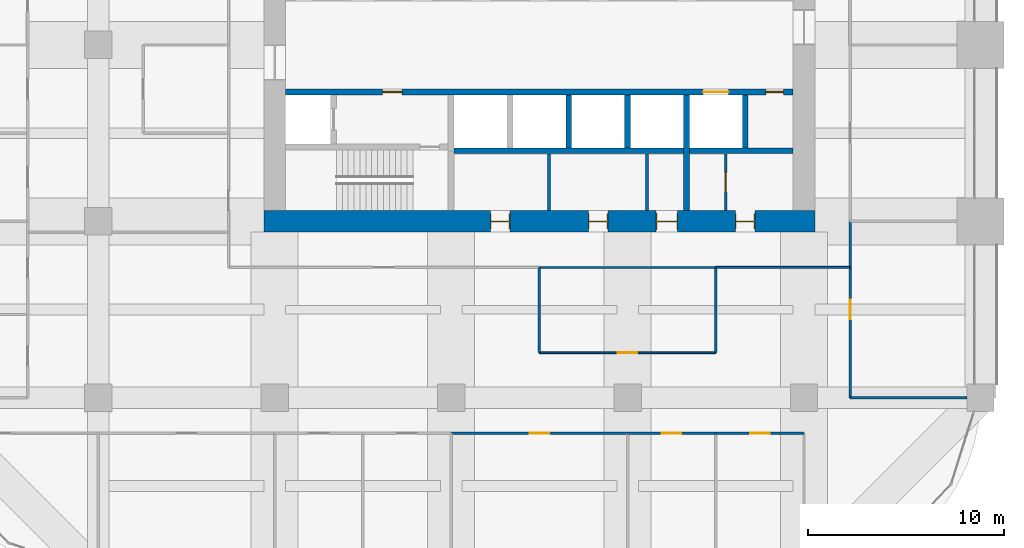
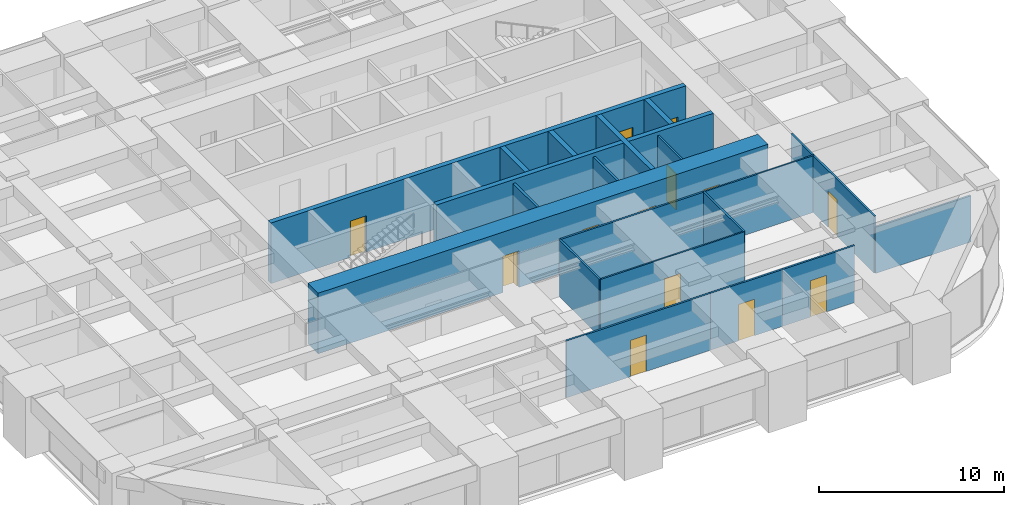
# One storey, part 31 of 35: 20 walls, 13 doors, 13 openings.
"""IFC4 building model written with IfcOpenShell, lengths in metres."""

from ifc_helpers import new_model, si_unit, direction, frame, frame_2d, origin, place, context, subcontext, project, spatial, rectangle, extrude, material, layer, layer_set, type_object, element, fill, save


model = new_model("IFC4")

# Units and contexts
model_context = context("Model", 3, precision=1e-05, world=origin(), true_north=direction((0.0, 1.0)))
body_context = subcontext(model_context, "Body", "Model", "MODEL_VIEW")
ifc_project = project(units=[si_unit("LENGTHUNIT", "METRE"), si_unit("AREAUNIT", "SQUARE_METRE"), si_unit("VOLUMEUNIT", "CUBIC_METRE"), si_unit("PLANEANGLEUNIT", "RADIAN"), si_unit("MASSUNIT", "GRAM", prefix="KILO")], contexts=[model_context])

# Site, building, storey
site_placement = place(None, origin())
site = spatial("IfcSite", under=ifc_project, at=site_placement, CompositionType="ELEMENT")
building_placement = place(site_placement, origin())
building = spatial("IfcBuilding", under=site, at=building_placement, Name="Zorevar Civic Tower", CompositionType="ELEMENT")
storey_placement = place(building_placement, frame((0.0, 0.0, 222.199951171875)))
storey = spatial("IfcBuildingStorey", under=building, at=storey_placement, Name="L54", CompositionType="ELEMENT", Elevation=222.199951171875)

# Wall, openings, doors
ifc_material_1 = material(Name="Concrete C50/60", Category="concrete")
ifc_layer_1 = layer(ifc_material_1, 1.10009765625)
ifc_layer_set_1 = layer_set([ifc_layer_1], Name="Core wall 1100")
wall_type_1 = type_object("IfcWallType", Name="Core wall 1100", PredefinedType="SHEAR", material=ifc_layer_set_1)
wall_1_placement = place(storey_placement, frame((17.449951171875, 18.0, 0.0), z_axis=(0.0, 0.0, 1.0), x_axis=(1.0, 0.0, 0.0)))
wall_1 = element("IfcWall", 1, at=wall_1_placement, inside=storey, type_object=wall_type_1, Name="Core wall S L54", PredefinedType="SHEAR", context=body_context, shape_type="SweptSolid", body=[
    extrude(rectangle(XDim=28.10009765625, YDim=1.10009765625, at=frame_2d((14.050048828125, 0.0))), origin(), (0.0, 0.0, 1.0), 4.0),
])
opening_1_placement = place(wall_1_placement, frame((11.550048828125, 0.0, 0.0)))
opening_1 = element("IfcOpeningElement", 2, at=opening_1_placement, cuts=wall_1, Name="Opening L54.03", PredefinedType="OPENING", context=body_context, shape_type="SweptSolid", body=[
    extrude(rectangle(XDim=1.0, YDim=2.39990234375, at=frame_2d((0.5, 1.199951171875))), frame((0.0, 0.56005859375, 0.0), z_axis=(0.0, -1.0, 0.0), x_axis=(1.0, 0.0, 0.0)), (0.0, 0.0, 1.0), 1.1201171875),
])
opening_2_placement = place(wall_1_placement, frame((16.550048828125, 0.0, 0.0)))
opening_2 = element("IfcOpeningElement", 3, at=opening_2_placement, cuts=wall_1, Name="Opening L54.04", PredefinedType="OPENING", context=body_context, shape_type="SweptSolid", body=[
    extrude(rectangle(XDim=1.0, YDim=2.39990234375, at=frame_2d((0.5, 1.199951171875))), frame((0.0, 0.56005859375, 0.0), z_axis=(0.0, -1.0, 0.0), x_axis=(1.0, 0.0, 0.0)), (0.0, 0.0, 1.0), 1.1201171875),
])
opening_3_placement = place(wall_1_placement, frame((20.0, 0.0, 0.0)))
opening_3 = element("IfcOpeningElement", 4, at=opening_3_placement, cuts=wall_1, Name="Opening L54.05", PredefinedType="OPENING", context=body_context, shape_type="SweptSolid", body=[
    extrude(rectangle(XDim=1.10009765625, YDim=2.39990234375, at=frame_2d((0.550048828125, 1.199951171875))), frame((0.0, 0.56005859375, 0.0), z_axis=(0.0, -1.0, 0.0), x_axis=(1.0, 0.0, 0.0)), (0.0, 0.0, 1.0), 1.1201171875),
])
opening_4_placement = place(wall_1_placement, frame((24.050048828125, 0.0, 0.0)))
opening_4 = element("IfcOpeningElement", 5, at=opening_4_placement, cuts=wall_1, Name="Opening L54.06", PredefinedType="OPENING", context=body_context, shape_type="SweptSolid", body=[
    extrude(rectangle(XDim=1.0, YDim=2.39990234375, at=frame_2d((0.5, 1.199951171875))), frame((0.0, 0.56005859375, 0.0), z_axis=(0.0, -1.0, 0.0), x_axis=(1.0, 0.0, 0.0)), (0.0, 0.0, 1.0), 1.1201171875),
])
ifc_material_2 = material(Name="Timber door set", Category="wood")
door_type_1 = type_object("IfcDoorType", Name="Door D1 1000x2400", OperationType="SINGLE_SWING_LEFT", PredefinedType="DOOR", material=ifc_material_2)
door_1_placement = place(opening_1_placement, origin())
door_1 = element("IfcDoor", 6, at=door_1_placement, inside=storey, type_object=door_type_1, Name="Door L54 02", OperationType="SINGLE_SWING_RIGHT", OverallHeight=2.39990234375, OverallWidth=1.0, PredefinedType="DOOR", context=body_context, shape_type="SweptSolid", body=[
    extrude(rectangle(XDim=1.0, YDim=2.39990234375, at=frame_2d((0.5, 1.199951171875))), frame((0.0, 0.02490234375, 0.0), z_axis=(0.0, -1.0, 0.0), x_axis=(1.0, 0.0, 0.0)), (0.0, 0.0, 1.0), 0.050048828125),
    extrude(rectangle(XDim=0.04, YDim=2.39990234375, at=frame_2d((0.02001953125, 1.199951171875))), frame((0.0, 0.39990234375, 0.0), z_axis=(0.0, -1.0, 0.0), x_axis=(1.0, 0.0, 0.0)), (0.0, 0.0, 1.0), 0.800048828125),
    extrude(rectangle(XDim=0.04, YDim=2.39990234375, at=frame_2d((0.97998046875, 1.199951171875))), frame((0.0, 0.39990234375, 0.0), z_axis=(0.0, -1.0, 0.0), x_axis=(1.0, 0.0, 0.0)), (0.0, 0.0, 1.0), 0.800048828125),
    extrude(rectangle(XDim=1.0, YDim=0.04, at=frame_2d((0.5, 2.3798828125))), frame((0.0, 0.39990234375, 0.0), z_axis=(0.0, -1.0, 0.0), x_axis=(1.0, 0.0, 0.0)), (0.0, 0.0, 1.0), 0.800048828125),
])
fill(opening_1, door_1)
door_2_placement = place(opening_2_placement, origin())
door_2 = element("IfcDoor", 7, at=door_2_placement, inside=storey, type_object=door_type_1, Name="Door L54 03", OperationType="SINGLE_SWING_LEFT", OverallHeight=2.39990234375, OverallWidth=1.0, PredefinedType="DOOR", context=body_context, shape_type="SweptSolid", body=[
    extrude(rectangle(XDim=1.0, YDim=2.39990234375, at=frame_2d((0.5, 1.199951171875))), frame((0.0, 0.02490234375, 0.0), z_axis=(0.0, -1.0, 0.0), x_axis=(1.0, 0.0, 0.0)), (0.0, 0.0, 1.0), 0.050048828125),
    extrude(rectangle(XDim=0.04, YDim=2.39990234375, at=frame_2d((0.02001953125, 1.199951171875))), frame((0.0, 0.39990234375, 0.0), z_axis=(0.0, -1.0, 0.0), x_axis=(1.0, 0.0, 0.0)), (0.0, 0.0, 1.0), 0.800048828125),
    extrude(rectangle(XDim=0.04, YDim=2.39990234375, at=frame_2d((0.97998046875, 1.199951171875))), frame((0.0, 0.39990234375, 0.0), z_axis=(0.0, -1.0, 0.0), x_axis=(1.0, 0.0, 0.0)), (0.0, 0.0, 1.0), 0.800048828125),
    extrude(rectangle(XDim=1.0, YDim=0.04, at=frame_2d((0.5, 2.3798828125))), frame((0.0, 0.39990234375, 0.0), z_axis=(0.0, -1.0, 0.0), x_axis=(1.0, 0.0, 0.0)), (0.0, 0.0, 1.0), 0.800048828125),
])
fill(opening_2, door_2)
door_3_placement = place(opening_4_placement, origin())
door_3 = element("IfcDoor", 8, at=door_3_placement, inside=storey, type_object=door_type_1, Name="Door L54 05", OperationType="SINGLE_SWING_LEFT", OverallHeight=2.39990234375, OverallWidth=1.0, PredefinedType="DOOR", context=body_context, shape_type="SweptSolid", body=[
    extrude(rectangle(XDim=1.0, YDim=2.39990234375, at=frame_2d((0.5, 1.199951171875))), frame((0.0, 0.02490234375, 0.0), z_axis=(0.0, -1.0, 0.0), x_axis=(1.0, 0.0, 0.0)), (0.0, 0.0, 1.0), 0.050048828125),
    extrude(rectangle(XDim=0.04, YDim=2.39990234375, at=frame_2d((0.02001953125, 1.199951171875))), frame((0.0, 0.39990234375, 0.0), z_axis=(0.0, -1.0, 0.0), x_axis=(1.0, 0.0, 0.0)), (0.0, 0.0, 1.0), 0.800048828125),
    extrude(rectangle(XDim=0.04, YDim=2.39990234375, at=frame_2d((0.97998046875, 1.199951171875))), frame((0.0, 0.39990234375, 0.0), z_axis=(0.0, -1.0, 0.0), x_axis=(1.0, 0.0, 0.0)), (0.0, 0.0, 1.0), 0.800048828125),
    extrude(rectangle(XDim=1.0, YDim=0.04, at=frame_2d((0.5, 2.3798828125))), frame((0.0, 0.39990234375, 0.0), z_axis=(0.0, -1.0, 0.0), x_axis=(1.0, 0.0, 0.0)), (0.0, 0.0, 1.0), 0.800048828125),
])
fill(opening_4, door_3)
ifc_material_3 = material(Name="Timber door set", Category="wood")
door_type_2 = type_object("IfcDoorType", Name="Door D5 1100x2400", OperationType="SINGLE_SWING_LEFT", PredefinedType="DOOR", material=ifc_material_3)
door_4_placement = place(opening_3_placement, origin())
door_4 = element("IfcDoor", 9, at=door_4_placement, inside=storey, type_object=door_type_2, Name="Door L54 04", OperationType="SINGLE_SWING_LEFT", OverallHeight=2.39990234375, OverallWidth=1.10009765625, PredefinedType="DOOR", context=body_context, shape_type="SweptSolid", body=[
    extrude(rectangle(XDim=1.10009765625, YDim=2.39990234375, at=frame_2d((0.550048828125, 1.199951171875))), frame((0.0, 0.02490234375, 0.0), z_axis=(0.0, -1.0, 0.0), x_axis=(1.0, 0.0, 0.0)), (0.0, 0.0, 1.0), 0.050048828125),
    extrude(rectangle(XDim=0.04, YDim=2.39990234375, at=frame_2d((0.02001953125, 1.199951171875))), frame((0.0, 0.43994140625, 0.0), z_axis=(0.0, -1.0, 0.0), x_axis=(1.0, 0.0, 0.0)), (0.0, 0.0, 1.0), 0.880126953125),
    extrude(rectangle(XDim=0.04, YDim=2.39990234375, at=frame_2d((1.080078125, 1.199951171875))), frame((0.0, 0.43994140625, 0.0), z_axis=(0.0, -1.0, 0.0), x_axis=(1.0, 0.0, 0.0)), (0.0, 0.0, 1.0), 0.880126953125),
    extrude(rectangle(XDim=1.10009765625, YDim=0.04, at=frame_2d((0.550048828125, 2.3798828125))), frame((0.0, 0.43994140625, 0.0), z_axis=(0.0, -1.0, 0.0), x_axis=(1.0, 0.0, 0.0)), (0.0, 0.0, 1.0), 0.880126953125),
])
fill(opening_3, door_4)

# Wall, opening, door
ifc_material_4 = material(Name="Laminated glass in black aluminium frame", Category="aluminium")
ifc_layer_2 = layer(ifc_material_4, 0.10009765625)
ifc_layer_set_2 = layer_set([ifc_layer_2], Name="Glazed partition 100")
wall_type_2 = type_object("IfcWallType", Name="Glazed partition 100", PredefinedType="PARTITIONING", material=ifc_layer_set_2)
wall_2_placement = place(storey_placement, frame((31.5, 11.300048828125, 0.0), z_axis=(0.0, 0.0, 1.0), x_axis=(1.0, 0.0, 0.0)))
wall_2 = element("IfcWall", 10, at=wall_2_placement, inside=storey, type_object=wall_type_2, Name="Glazed partition 100 L54", PredefinedType="PARTITIONING", context=body_context, shape_type="SweptSolid", body=[
    extrude(rectangle(XDim=9.0, YDim=0.10009765625, at=frame_2d((4.5, 0.0))), origin(), (0.0, 0.0, 1.0), 3.75),
])
opening_5_placement = place(wall_2_placement, frame((4.0, 0.0, 0.0)))
opening_5 = element("IfcOpeningElement", 11, at=opening_5_placement, cuts=wall_2, Name="Opening L54.24", PredefinedType="OPENING", context=body_context, shape_type="SweptSolid", body=[
    extrude(rectangle(XDim=1.0, YDim=2.39990234375, at=frame_2d((0.5, 1.199951171875))), frame((0.0, 0.06005859375, 0.0), z_axis=(0.0, -1.0, 0.0), x_axis=(1.0, 0.0, 0.0)), (0.0, 0.0, 1.0), 0.1201171875),
])
ifc_material_5 = material(Name="Timber door set", Category="wood")
door_type_3 = type_object("IfcDoorType", Name="Glazed door GD1 1000x2400", OperationType="SINGLE_SWING_LEFT", PredefinedType="DOOR", material=ifc_material_5)
door_5_placement = place(opening_5_placement, origin())
door_5 = element("IfcDoor", 12, at=door_5_placement, inside=storey, type_object=door_type_3, Name="Door L54 D1", OperationType="SINGLE_SWING_RIGHT", OverallHeight=2.39990234375, OverallWidth=1.0, PredefinedType="DOOR", context=body_context, shape_type="SweptSolid", body=[
    extrude(rectangle(XDim=1.0, YDim=2.39990234375, at=frame_2d((0.5, 1.199951171875))), frame((0.0, 0.02001953125, 0.0), z_axis=(0.0, -1.0, 0.0), x_axis=(1.0, 0.0, 0.0)), (0.0, 0.0, 1.0), 0.0400390625),
])
fill(opening_5, door_5)

# Wall
wall_3_placement = place(storey_placement, frame((40.5, 15.64990234375, 0.0), z_axis=(0.0, 0.0, 1.0), x_axis=(1.0, 0.0, 0.0)))
element("IfcWall", 13, at=wall_3_placement, inside=storey, type_object=wall_type_2, Name="Glazed partition 100 L54", PredefinedType="PARTITIONING", context=body_context, shape_type="SweptSolid", body=[
    extrude(rectangle(XDim=6.85009765625, YDim=0.10009765625, at=frame_2d((3.425048828125, 0.0))), origin(), (0.0, 0.0, 1.0), 3.75),
])

# Wall, openings, doors
ifc_material_6 = material(Name="Concrete C40/50", Category="concrete")
ifc_layer_3 = layer(ifc_material_6, 0.300048828125)
ifc_layer_set_3 = layer_set([ifc_layer_3], Name="Inner core wall 300")
wall_type_3 = type_object("IfcWallType", Name="Inner core wall 300", PredefinedType="SHEAR", material=ifc_layer_set_3)
wall_4_placement = place(storey_placement, frame((18.550048828125, 24.60009765625, 0.0), z_axis=(0.0, 0.0, 1.0), x_axis=(1.0, 0.0, 0.0)))
wall_4 = element("IfcWall", 14, at=wall_4_placement, inside=storey, type_object=wall_type_3, Name="Inner core wall S03 L54", PredefinedType="SHEAR", context=body_context, shape_type="SweptSolid", body=[
    extrude(rectangle(XDim=25.89990234375, YDim=0.300048828125, at=frame_2d((12.949951171875, 0.0))), origin(), (0.0, 0.0, 1.0), 4.0),
])
opening_6_placement = place(wall_4_placement, frame((4.949951171875, 0.0, 0.0)))
opening_6 = element("IfcOpeningElement", 15, at=opening_6_placement, cuts=wall_4, Name="Opening L54.13", PredefinedType="OPENING", context=body_context, shape_type="SweptSolid", body=[
    extrude(rectangle(XDim=1.0, YDim=2.39990234375, at=frame_2d((0.5, 1.199951171875))), frame((0.0, 0.159912109375, 0.0), z_axis=(0.0, -1.0, 0.0), x_axis=(1.0, 0.0, 0.0)), (0.0, 0.0, 1.0), 0.320068359375),
])
opening_7_placement = place(wall_4_placement, frame((24.5, 0.0, 0.0)))
opening_7 = element("IfcOpeningElement", 16, at=opening_7_placement, cuts=wall_4, Name="Opening L54.15", PredefinedType="OPENING", context=body_context, shape_type="SweptSolid", body=[
    extrude(rectangle(XDim=0.89990234375, YDim=2.10009765625, at=frame_2d((0.449951171875, 1.050048828125))), frame((0.0, 0.159912109375, 0.0), z_axis=(0.0, -1.0, 0.0), x_axis=(1.0, 0.0, 0.0)), (0.0, 0.0, 1.0), 0.320068359375),
])
opening_8_placement = place(wall_4_placement, frame((21.300048828125, 0.0, 0.0)))
opening_8 = element("IfcOpeningElement", 17, at=opening_8_placement, cuts=wall_4, Name="Opening L54.SL1", PredefinedType="OPENING", context=body_context, shape_type="SweptSolid", body=[
    extrude(rectangle(XDim=1.300048828125, YDim=2.39990234375, at=frame_2d((0.64990234375, 1.199951171875))), frame((0.0, 0.159912109375, 0.0), z_axis=(0.0, -1.0, 0.0), x_axis=(1.0, 0.0, 0.0)), (0.0, 0.0, 1.0), 0.320068359375),
])
ifc_material_7 = material(Name="Steel door set", Category="steel")
door_type_4 = type_object("IfcDoorType", Name="Fire door FD1 1000x2400", OperationType="SINGLE_SWING_LEFT", PredefinedType="DOOR", material=ifc_material_7)
door_6_placement = place(opening_6_placement, origin())
door_6 = element("IfcDoor", 18, at=door_6_placement, inside=storey, type_object=door_type_4, Name="Door L54 12", OperationType="SINGLE_SWING_RIGHT", OverallHeight=2.39990234375, OverallWidth=1.0, PredefinedType="DOOR", context=body_context, shape_type="SweptSolid", body=[
    extrude(rectangle(XDim=1.0, YDim=2.39990234375, at=frame_2d((0.5, 1.199951171875))), frame((0.0, 0.030029296875, 0.0), z_axis=(0.0, -1.0, 0.0), x_axis=(1.0, 0.0, 0.0)), (0.0, 0.0, 1.0), 0.06005859375),
])
fill(opening_6, door_6)
ifc_material_8 = material(Name="Steel door set", Category="steel")
door_type_5 = type_object("IfcDoorType", Name="Landing door LD2 1300x2400", OperationType="DOUBLE_DOOR_SLIDING", PredefinedType="DOOR", material=ifc_material_8)
door_7_placement = place(opening_8_placement, origin())
door_7 = element("IfcDoor", 19, at=door_7_placement, inside=storey, type_object=door_type_5, Name="Landing door SL1 L54", OperationType="DOUBLE_DOOR_SLIDING", OverallHeight=2.39990234375, OverallWidth=1.300048828125, PredefinedType="DOOR", context=body_context, shape_type="SweptSolid", body=[
    extrude(rectangle(XDim=1.300048828125, YDim=2.39990234375, at=frame_2d((0.64990234375, 1.199951171875))), frame((0.0, 0.02001953125, 0.0), z_axis=(0.0, -1.0, 0.0), x_axis=(1.0, 0.0, 0.0)), (0.0, 0.0, 1.0), 0.0400390625),
])
fill(opening_8, door_7)
ifc_material_9 = material(Name="Steel door set", Category="steel")
door_type_6 = type_object("IfcDoorType", Name="Riser door RD1 900x2100", OperationType="SINGLE_SWING_LEFT", PredefinedType="DOOR", material=ifc_material_9)
door_8_placement = place(opening_7_placement, origin())
door_8 = element("IfcDoor", 20, at=door_8_placement, inside=storey, type_object=door_type_6, Name="Door L54 14", OperationType="SINGLE_SWING_RIGHT", OverallHeight=2.10009765625, OverallWidth=0.89990234375, PredefinedType="DOOR", context=body_context, shape_type="SweptSolid", body=[
    extrude(rectangle(XDim=0.89990234375, YDim=2.10009765625, at=frame_2d((0.449951171875, 1.050048828125))), frame((0.0, 0.030029296875, 0.0), z_axis=(0.0, -1.0, 0.0), x_axis=(1.0, 0.0, 0.0)), (0.0, 0.0, 1.0), 0.06005859375),
])
fill(opening_7, door_8)

# Walls
wall_5_placement = place(storey_placement, frame((27.14990234375, 21.60009765625, 0.0), z_axis=(0.0, 0.0, 1.0), x_axis=(1.0, 0.0, 0.0)))
element("IfcWall", 21, at=wall_5_placement, inside=storey, type_object=wall_type_3, Name="Inner core wall S04 L54", PredefinedType="SHEAR", context=body_context, shape_type="SweptSolid", body=[
    extrude(rectangle(XDim=17.300048828125, YDim=0.300048828125, at=frame_2d((8.64990234375, 0.0))), origin(), (0.0, 0.0, 1.0), 4.0),
])
for number, where, z_axis, x_axis, name in (
    (22, (33.0, 21.75, 0.0), (0.0, 0.0, 1.0), (0.0, 1.0, 0.0), "Inner core wall S06 L54"),
    (23, (36.0, 21.75, 0.0), (0.0, 0.0, 1.0), (0.0, 1.0, 0.0), "Inner core wall S07 L54"),
):
    element("IfcWall", number, at=place(storey_placement, frame(where, z_axis=z_axis, x_axis=x_axis)), inside=storey, type_object=wall_type_3, Name=name, PredefinedType="SHEAR", context=body_context, shape_type="SweptSolid", body=[
        extrude(rectangle(XDim=2.699951171875, YDim=0.300048828125, at=frame_2d((1.35009765625, 0.0))), origin(), (0.0, 0.0, 1.0), 4.0),
    ])
wall_6_placement = place(storey_placement, frame((39.0, 18.550048828125, 0.0), z_axis=(0.0, 0.0, 1.0), x_axis=(0.0, 1.0, 0.0)))
element("IfcWall", 24, at=wall_6_placement, inside=storey, type_object=wall_type_3, Name="Inner core wall S08 L54", PredefinedType="SHEAR", context=body_context, shape_type="SweptSolid", body=[
    extrude(rectangle(XDim=5.89990234375, YDim=0.300048828125, at=frame_2d((2.949951171875, 0.0))), origin(), (0.0, 0.0, 1.0), 4.0),
])
wall_7_placement = place(storey_placement, frame((42.0, 21.75, 0.0), z_axis=(0.0, 0.0, 1.0), x_axis=(0.0, 1.0, 0.0)))
element("IfcWall", 25, at=wall_7_placement, inside=storey, type_object=wall_type_3, Name="Inner core wall S09 L54", PredefinedType="SHEAR", context=body_context, shape_type="SweptSolid", body=[
    extrude(rectangle(XDim=2.699951171875, YDim=0.300048828125, at=frame_2d((1.35009765625, 0.0))), origin(), (0.0, 0.0, 1.0), 4.0),
])

# Wall, opening, door
ifc_material_10 = material(Name="Gypsum board on steel studs", Category="steel")
ifc_layer_4 = layer(ifc_material_10, 0.1201171875)
ifc_layer_set_4 = layer_set([ifc_layer_4], Name="Partition 120")
wall_type_4 = type_object("IfcWallType", Name="Partition 120", PredefinedType="PARTITIONING", material=ifc_layer_set_4)
wall_8_placement = place(storey_placement, frame((27.0, 7.199951171875, 0.0), z_axis=(0.0, 0.0, 1.0), x_axis=(1.0, 0.0, 0.0)))
wall_8 = element("IfcWall", 26, at=wall_8_placement, inside=storey, type_object=wall_type_4, Name="Partition 120 L54", PredefinedType="PARTITIONING", context=body_context, shape_type="SweptSolid", body=[
    extrude(rectangle(XDim=9.0, YDim=0.1201171875, at=frame_2d((4.5, 0.0))), origin(), (0.0, 0.0, 1.0), 3.75),
])
opening_9_placement = place(wall_8_placement, frame((4.0, 0.0, 0.0)))
opening_9 = element("IfcOpeningElement", 27, at=opening_9_placement, cuts=wall_8, Name="Opening L54.20", PredefinedType="OPENING", context=body_context, shape_type="SweptSolid", body=[
    extrude(rectangle(XDim=1.0, YDim=2.39990234375, at=frame_2d((0.5, 1.199951171875))), frame((0.0, 0.070068359375, 0.0), z_axis=(0.0, -1.0, 0.0), x_axis=(1.0, 0.0, 0.0)), (0.0, 0.0, 1.0), 0.14013671875),
])
door_9_placement = place(opening_9_placement, origin())
door_9 = element("IfcDoor", 28, at=door_9_placement, inside=storey, type_object=door_type_1, Name="Door L54 D1", OperationType="SINGLE_SWING_LEFT", OverallHeight=2.39990234375, OverallWidth=1.0, PredefinedType="DOOR", context=body_context, shape_type="SweptSolid", body=[
    extrude(rectangle(XDim=1.0, YDim=2.39990234375, at=frame_2d((0.5, 1.199951171875))), frame((0.0, 0.02490234375, 0.0), z_axis=(0.0, -1.0, 0.0), x_axis=(1.0, 0.0, 0.0)), (0.0, 0.0, 1.0), 0.050048828125),
])
fill(opening_9, door_9)

wall_9_placement = place(storey_placement, frame((36.0, 7.199951171875, 0.0), z_axis=(0.0, 0.0, 1.0), x_axis=(1.0, 0.0, 0.0)))
wall_9 = element("IfcWall", 29, at=wall_9_placement, inside=storey, type_object=wall_type_4, Name="Partition 120 L54", PredefinedType="PARTITIONING", context=body_context, shape_type="SweptSolid", body=[
    extrude(rectangle(XDim=4.5, YDim=0.1201171875, at=frame_2d((2.25, 0.0))), origin(), (0.0, 0.0, 1.0), 3.75),
])
opening_10_placement = place(wall_9_placement, frame((1.75, 0.0, 0.0)))
opening_10 = element("IfcOpeningElement", 30, at=opening_10_placement, cuts=wall_9, Name="Opening L54.21", PredefinedType="OPENING", context=body_context, shape_type="SweptSolid", body=[
    extrude(rectangle(XDim=1.0, YDim=2.39990234375, at=frame_2d((0.5, 1.199951171875))), frame((0.0, 0.070068359375, 0.0), z_axis=(0.0, -1.0, 0.0), x_axis=(1.0, 0.0, 0.0)), (0.0, 0.0, 1.0), 0.14013671875),
])
door_10_placement = place(opening_10_placement, origin())
door_10 = element("IfcDoor", 31, at=door_10_placement, inside=storey, type_object=door_type_1, Name="Door L54 D1", OperationType="SINGLE_SWING_LEFT", OverallHeight=2.39990234375, OverallWidth=1.0, PredefinedType="DOOR", context=body_context, shape_type="SweptSolid", body=[
    extrude(rectangle(XDim=1.0, YDim=2.39990234375, at=frame_2d((0.5, 1.199951171875))), frame((0.0, 0.02490234375, 0.0), z_axis=(0.0, -1.0, 0.0), x_axis=(1.0, 0.0, 0.0)), (0.0, 0.0, 1.0), 0.050048828125),
])
fill(opening_10, door_10)

wall_10_placement = place(storey_placement, frame((40.5, 7.199951171875, 0.0), z_axis=(0.0, 0.0, 1.0), x_axis=(1.0, 0.0, 0.0)))
wall_10 = element("IfcWall", 32, at=wall_10_placement, inside=storey, type_object=wall_type_4, Name="Partition 120 L54", PredefinedType="PARTITIONING", context=body_context, shape_type="SweptSolid", body=[
    extrude(rectangle(XDim=4.5, YDim=0.1201171875, at=frame_2d((2.25, 0.0))), origin(), (0.0, 0.0, 1.0), 3.75),
])
opening_11_placement = place(wall_10_placement, frame((1.75, 0.0, 0.0)))
opening_11 = element("IfcOpeningElement", 33, at=opening_11_placement, cuts=wall_10, Name="Opening L54.22", PredefinedType="OPENING", context=body_context, shape_type="SweptSolid", body=[
    extrude(rectangle(XDim=1.0, YDim=2.39990234375, at=frame_2d((0.5, 1.199951171875))), frame((0.0, 0.070068359375, 0.0), z_axis=(0.0, -1.0, 0.0), x_axis=(1.0, 0.0, 0.0)), (0.0, 0.0, 1.0), 0.14013671875),
])
door_11_placement = place(opening_11_placement, origin())
door_11 = element("IfcDoor", 34, at=door_11_placement, inside=storey, type_object=door_type_1, Name="Door L54 D1", OperationType="SINGLE_SWING_LEFT", OverallHeight=2.39990234375, OverallWidth=1.0, PredefinedType="DOOR", context=body_context, shape_type="SweptSolid", body=[
    extrude(rectangle(XDim=1.0, YDim=2.39990234375, at=frame_2d((0.5, 1.199951171875))), frame((0.0, 0.02490234375, 0.0), z_axis=(0.0, -1.0, 0.0), x_axis=(1.0, 0.0, 0.0)), (0.0, 0.0, 1.0), 0.050048828125),
])
fill(opening_11, door_11)

# Walls
wall_11_placement = place(storey_placement, frame((47.35009765625, 9.0, 0.0), z_axis=(0.0, 0.0, 1.0), x_axis=(1.0, 0.0, 0.0)))
element("IfcWall", 35, at=wall_11_placement, inside=storey, type_object=wall_type_4, Name="Partition 120 L54", PredefinedType="PARTITIONING", context=body_context, shape_type="SweptSolid", body=[
    extrude(rectangle(XDim=5.949951171875, YDim=0.1201171875, at=frame_2d((2.97509765625, 0.0))), origin(), (0.0, 0.0, 1.0), 3.050048828125),
])
wall_12_placement = place(storey_placement, frame((31.5, 15.64990234375, 0.0), z_axis=(0.0, 0.0, 1.0), x_axis=(1.0, 0.0, 0.0)))
element("IfcWall", 36, at=wall_12_placement, inside=storey, type_object=wall_type_4, Name="Partition 120 L54", PredefinedType="PARTITIONING", context=body_context, shape_type="SweptSolid", body=[
    extrude(rectangle(XDim=9.0, YDim=0.1201171875, at=frame_2d((4.5, 0.0))), origin(), (0.0, 0.0, 1.0), 3.75),
])
for number, where, z_axis, x_axis, name in (
    (37, (31.5, 11.300048828125, 0.0), (0.0, 0.0, 1.0), (0.0, 1.0, 0.0), "Partition 120 L54"),
    (38, (40.5, 11.300048828125, 0.0), (0.0, 0.0, 1.0), (0.0, 1.0, 0.0), "Partition 120 L54"),
):
    element("IfcWall", number, at=place(storey_placement, frame(where, z_axis=z_axis, x_axis=x_axis)), inside=storey, type_object=wall_type_4, Name=name, PredefinedType="PARTITIONING", context=body_context, shape_type="SweptSolid", body=[
        extrude(rectangle(XDim=4.349853515625, YDim=0.1201171875, at=frame_2d((2.1748046875, 0.0))), origin(), (0.0, 0.0, 1.0), 3.75),
    ])

# Wall, opening, door
wall_13_placement = place(storey_placement, frame((47.35009765625, 9.0, 0.0), z_axis=(0.0, 0.0, 1.0), x_axis=(0.0, 1.0, 0.0)))
wall_13 = element("IfcWall", 39, at=wall_13_placement, inside=storey, type_object=wall_type_4, Name="Partition 120 L54", PredefinedType="PARTITIONING", context=body_context, shape_type="SweptSolid", body=[
    extrude(rectangle(XDim=9.0, YDim=0.1201171875, at=frame_2d((4.5, 0.0))), origin(), (0.0, 0.0, 1.0), 3.75),
])
opening_12_placement = place(wall_13_placement, frame((4.0, 0.0, 0.0)))
opening_12 = element("IfcOpeningElement", 40, at=opening_12_placement, cuts=wall_13, Name="Opening L54.42", PredefinedType="OPENING", context=body_context, shape_type="SweptSolid", body=[
    extrude(rectangle(XDim=1.0, YDim=2.39990234375, at=frame_2d((0.5, 1.199951171875))), frame((0.0, 0.070068359375, 0.0), z_axis=(0.0, -1.0, 0.0), x_axis=(1.0, 0.0, 0.0)), (0.0, 0.0, 1.0), 0.14013671875),
])
door_12_placement = place(opening_12_placement, origin())
door_12 = element("IfcDoor", 41, at=door_12_placement, inside=storey, type_object=door_type_1, Name="Door L54 D1", OperationType="SINGLE_SWING_LEFT", OverallHeight=2.39990234375, OverallWidth=1.0, PredefinedType="DOOR", context=body_context, shape_type="SweptSolid", body=[
    extrude(rectangle(XDim=1.0, YDim=2.39990234375, at=frame_2d((0.5, 1.199951171875))), frame((0.0, 0.02490234375, 0.0), z_axis=(0.0, -1.0, 0.0), x_axis=(1.0, 0.0, 0.0)), (0.0, 0.0, 1.0), 0.050048828125),
])
fill(opening_12, door_12)

wall_14_placement = place(storey_placement, frame((41.0, 18.550048828125, 0.0), z_axis=(0.0, 0.0, 1.0), x_axis=(0.0, 1.0, 0.0)))
wall_14 = element("IfcWall", 42, at=wall_14_placement, inside=storey, type_object=wall_type_4, Name="Partition L54", PredefinedType="PARTITIONING", context=body_context, shape_type="SweptSolid", body=[
    extrude(rectangle(XDim=2.89990234375, YDim=0.1201171875, at=frame_2d((1.449951171875, 0.0))), origin(), (0.0, 0.0, 1.0), 3.75),
])
opening_13_placement = place(wall_14_placement, frame((0.949951171875, 0.0, 0.0)))
opening_13 = element("IfcOpeningElement", 43, at=opening_13_placement, cuts=wall_14, Name="Opening L54.45", PredefinedType="OPENING", context=body_context, shape_type="SweptSolid", body=[
    extrude(rectangle(XDim=1.0, YDim=2.39990234375, at=frame_2d((0.5, 1.199951171875))), frame((0.0, 0.070068359375, 0.0), z_axis=(0.0, -1.0, 0.0), x_axis=(1.0, 0.0, 0.0)), (0.0, 0.0, 1.0), 0.14013671875),
])
door_13_placement = place(opening_13_placement, origin())
door_13 = element("IfcDoor", 44, at=door_13_placement, inside=storey, type_object=door_type_4, Name="Door L54 ES", OperationType="SINGLE_SWING_RIGHT", OverallHeight=2.39990234375, OverallWidth=1.0, PredefinedType="DOOR", context=body_context, shape_type="SweptSolid", body=[
    extrude(rectangle(XDim=1.0, YDim=2.39990234375, at=frame_2d((0.5, 1.199951171875))), frame((0.0, 0.030029296875, 0.0), z_axis=(0.0, -1.0, 0.0), x_axis=(1.0, 0.0, 0.0)), (0.0, 0.0, 1.0), 0.06005859375),
])
fill(opening_13, door_13)

# Walls
ifc_material_11 = material(Name="Gypsum board on steel studs, moisture resistant", Category="steel")
ifc_layer_5 = layer(ifc_material_11, 0.14990234375)
ifc_layer_set_5 = layer_set([ifc_layer_5], Name="WC partition 150")
wall_type_5 = type_object("IfcWallType", Name="WC partition 150", PredefinedType="PARTITIONING", material=ifc_layer_set_5)
for number, where, z_axis, x_axis, name in (
    (45, (32.0, 18.550048828125, 0.0), (0.0, 0.0, 1.0), (0.0, 1.0, 0.0), "WC partition L54"),
    (46, (37.0, 18.550048828125, 0.0), (0.0, 0.0, 1.0), (0.0, 1.0, 0.0), "WC partition L54"),
):
    element("IfcWall", number, at=place(storey_placement, frame(where, z_axis=z_axis, x_axis=x_axis)), inside=storey, type_object=wall_type_5, Name=name, PredefinedType="PARTITIONING", context=body_context, shape_type="SweptSolid", body=[
        extrude(rectangle(XDim=2.89990234375, YDim=0.14990234375, at=frame_2d((1.449951171875, 0.0))), origin(), (0.0, 0.0, 1.0), 3.75),
    ])

save(model, "model.ifc")
